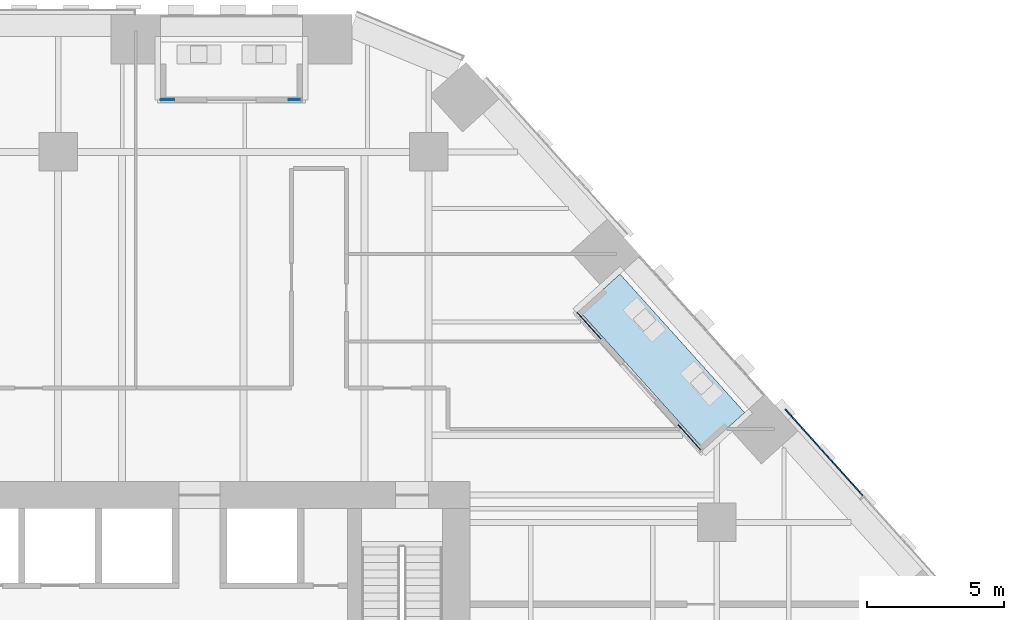
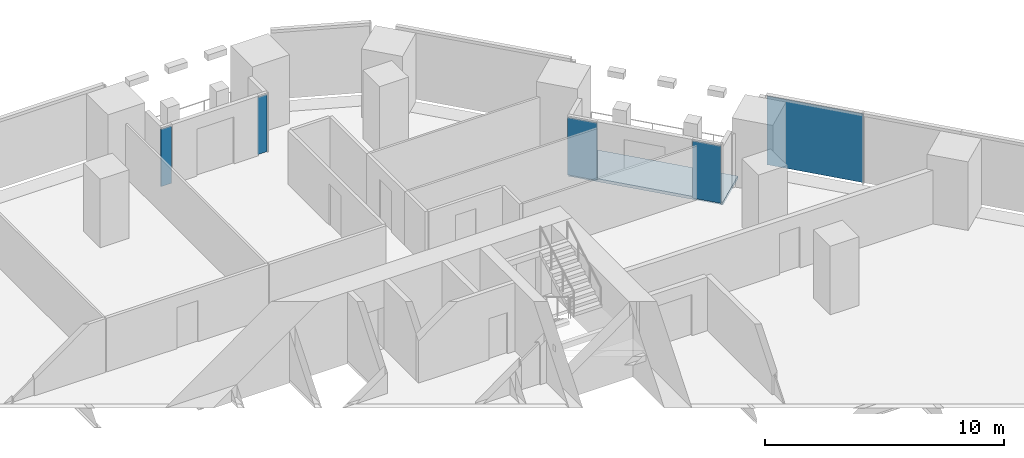
# One storey, part 20 of 31: 5 plates, 1 slab, 3 elements without a shape of their own.
"""IFC4 building model written with IfcOpenShell, lengths in metres."""

from ifc_helpers import new_model, si_unit, direction, frame, origin, origin_2d, place, context, subcontext, project, spatial, polyline, rectangle, outline, extrude, material, layer, layer_set, type_object, element, aggregate, save


model = new_model("IFC4")

# Units and contexts
model_context = context("Model", 3, precision=1e-05, world=origin(), true_north=direction((0.0, 1.0)))
body_context = subcontext(model_context, "Body", "Model", "MODEL_VIEW")
ifc_project = project(units=[si_unit("LENGTHUNIT", "METRE"), si_unit("AREAUNIT", "SQUARE_METRE"), si_unit("VOLUMEUNIT", "CUBIC_METRE"), si_unit("PLANEANGLEUNIT", "RADIAN"), si_unit("MASSUNIT", "GRAM", prefix="KILO")], contexts=[model_context])

# Site, building, storey
site_placement = place(None, origin())
site = spatial("IfcSite", under=ifc_project, at=site_placement, CompositionType="ELEMENT")
building_placement = place(site_placement, origin())
building = spatial("IfcBuilding", under=site, at=building_placement, Name="Isthmus Gate Tower", CompositionType="ELEMENT")
storey_placement = place(building_placement, frame((0.0, 0.0, 39.64990234375)))
storey = spatial("IfcBuildingStorey", under=building, at=storey_placement, Name="L07", CompositionType="ELEMENT", Elevation=39.64990234375)

# Curtain wall, plate
ifc_material_1 = material(Name="Aluminium, pale champagne anodised", Category="aluminium")
ifc_layer_1 = layer(ifc_material_1, 0.199951171875)
ifc_layer_set_1 = layer_set([ifc_layer_1], Name="CW-1 UNITISED CURTAIN WALL 200 DEEP")
curtain_wall_type_1 = type_object("IfcCurtainWallType", Name="CW-1 UNITISED CURTAIN WALL 200 DEEP", PredefinedType="NOTDEFINED", material=ifc_layer_set_1)
curtain_wall_1_placement = place(storey_placement, origin())
curtain_wall_1 = element("IfcCurtainWall", 1, at=curtain_wall_1_placement, inside=storey, type_object=curtain_wall_type_1, Name="CW-1 NE L07", PredefinedType="NOTDEFINED")
ifc_material_2 = material(Name="Laminated low-iron glass, pale blue tint", Category="glass")
ifc_layer_2 = layer(ifc_material_2, 0.0400390625)
ifc_layer_set_2 = layer_set([ifc_layer_2], Name="CW-1 CLEAR GLASS LITE 40")
plate_type_1 = type_object("IfcPlateType", Name="CW-1 CLEAR GLASS LITE 40", PredefinedType="CURTAIN_PANEL", material=ifc_layer_set_2)
plate_1_placement = place(storey_placement, frame((27.910400390625, 16.049560546875, 0.0), z_axis=(0.0, 0.0, 1.0), x_axis=(-0.669130606359, 0.743144825477, 0.0)))
plate_1 = element("IfcPlate", 2, at=plate_1_placement, type_object=plate_type_1, Name="CW-1 glass lite", PredefinedType="CURTAIN_PANEL", context=body_context, shape_type="SweptSolid", body=[
    extrude(rectangle(XDim=4.234619140625, YDim=0.0400390625, at=origin_2d()), origin(), (0.0, 0.0, 1.0), 3.5),
])
aggregate(curtain_wall_1, [plate_1])

# Curtain wall, plates
ifc_material_3 = material(Name="Aluminium, pale champagne anodised", Category="aluminium")
ifc_layer_3 = layer(ifc_material_3, 0.14990234375)
ifc_layer_set_3 = layer_set([ifc_layer_3], Name="CW-6 LOGGIA BACK WALL GLAZING 150 DEEP")
curtain_wall_type_2 = type_object("IfcCurtainWallType", Name="CW-6 LOGGIA BACK WALL GLAZING 150 DEEP", PredefinedType="NOTDEFINED", material=ifc_layer_set_3)
curtain_wall_2_placement = place(storey_placement, origin())
curtain_wall_2 = element("IfcCurtainWall", 3, at=curtain_wall_2_placement, inside=storey, type_object=curtain_wall_type_2, Name="CW-6 N L07", PredefinedType="NOTDEFINED")
ifc_material_4 = material(Name="Laminated low-iron glass, clear", Category="glass")
ifc_layer_4 = layer(ifc_material_4, 0.031982421875)
ifc_layer_set_4 = layer_set([ifc_layer_4], Name="CW-6 CLEAR GLASS LITE 32")
plate_type_2 = type_object("IfcPlateType", Name="CW-6 CLEAR GLASS LITE 32", PredefinedType="CURTAIN_PANEL", material=ifc_layer_set_4)
plate_2_placement = place(storey_placement, frame((8.621826171875, 28.89990234375, 0.0), z_axis=(0.0, 0.0, 1.0), x_axis=(-1.0, 0.0, 0.0)))
plate_2 = element("IfcPlate", 4, at=plate_2_placement, type_object=plate_type_2, Name="CW-6 glass lite", PredefinedType="CURTAIN_PANEL", context=body_context, shape_type="SweptSolid", body=[
    extrude(rectangle(XDim=0.43994140625, YDim=0.031982421875, at=origin_2d()), origin(), (0.0, 0.0, 1.0), 2.929931640625),
])
plate_3_placement = place(storey_placement, frame((3.982421875, 28.89990234375, 0.0), z_axis=(0.0, 0.0, 1.0), x_axis=(-1.0, 0.0, 0.0)))
plate_3 = element("IfcPlate", 5, at=plate_3_placement, type_object=plate_type_2, Name="CW-6 glass lite", PredefinedType="CURTAIN_PANEL", context=body_context, shape_type="SweptSolid", body=[
    extrude(rectangle(XDim=0.5, YDim=0.031982421875, at=origin_2d()), origin(), (0.0, 0.0, 1.0), 2.929931640625),
])
aggregate(curtain_wall_2, [plate_2, plate_3])

curtain_wall_3_placement = place(storey_placement, origin())
curtain_wall_3 = element("IfcCurtainWall", 6, at=curtain_wall_3_placement, inside=storey, type_object=curtain_wall_type_2, Name="CW-6 NE L07", PredefinedType="NOTDEFINED")
plate_4_placement = place(storey_placement, frame((23.000732421875, 16.600341796875, 0.0), z_axis=(0.0, 0.0, 1.0), x_axis=(-0.669130606359, 0.743144825477, 0.0)))
plate_4 = element("IfcPlate", 7, at=plate_4_placement, type_object=plate_type_2, Name="CW-6 glass lite", PredefinedType="CURTAIN_PANEL", context=body_context, shape_type="SweptSolid", body=[
    extrude(rectangle(XDim=1.234619140625, YDim=0.031982421875, at=origin_2d()), origin(), (0.0, 0.0, 1.0), 2.929931640625),
])
plate_5_placement = place(storey_placement, frame((19.34423828125, 20.661376953125, 0.0), z_axis=(0.0, 0.0, 1.0), x_axis=(-0.669130606359, 0.743144825477, 0.0)))
plate_5 = element("IfcPlate", 8, at=plate_5_placement, type_object=plate_type_2, Name="CW-6 glass lite", PredefinedType="CURTAIN_PANEL", context=body_context, shape_type="SweptSolid", body=[
    extrude(rectangle(XDim=1.294677734375, YDim=0.031982421875, at=origin_2d()), origin(), (0.0, 0.0, 1.0), 2.929931640625),
])
aggregate(curtain_wall_3, [plate_4, plate_5])

# Slab
ifc_material_5 = material(Name="Concrete f'c 50 MPa", Category="concrete")
ifc_layer_5 = layer(ifc_material_5, 0.14990234375)
ifc_layer_set_5 = layer_set([ifc_layer_5], Name="LOGGIA FLOOR SLAB 150")
slab_type = type_object("IfcSlabType", Name="LOGGIA FLOOR SLAB 150", PredefinedType="FLOOR", material=ifc_layer_set_5)
slab_placement = place(storey_placement, frame((0.0, 0.0, -0.14990234375)))
element("IfcSlab", 9, at=slab_placement, inside=storey, type_object=slab_type, Name="LOGGIA FLOOR", PredefinedType="FLOOR", context=body_context, shape_type="SweptSolid", body=[
    extrude(outline(polyline([(25.0146484375, 17.502197265625), (20.4716796875, 22.5478515625), (18.9853515625, 21.20947265625), (23.5283203125, 16.1640625), (25.0146484375, 17.502197265625)])), origin(), (0.0, 0.0, 1.0), 0.14990234375),
])

save(model, "model.ifc")
